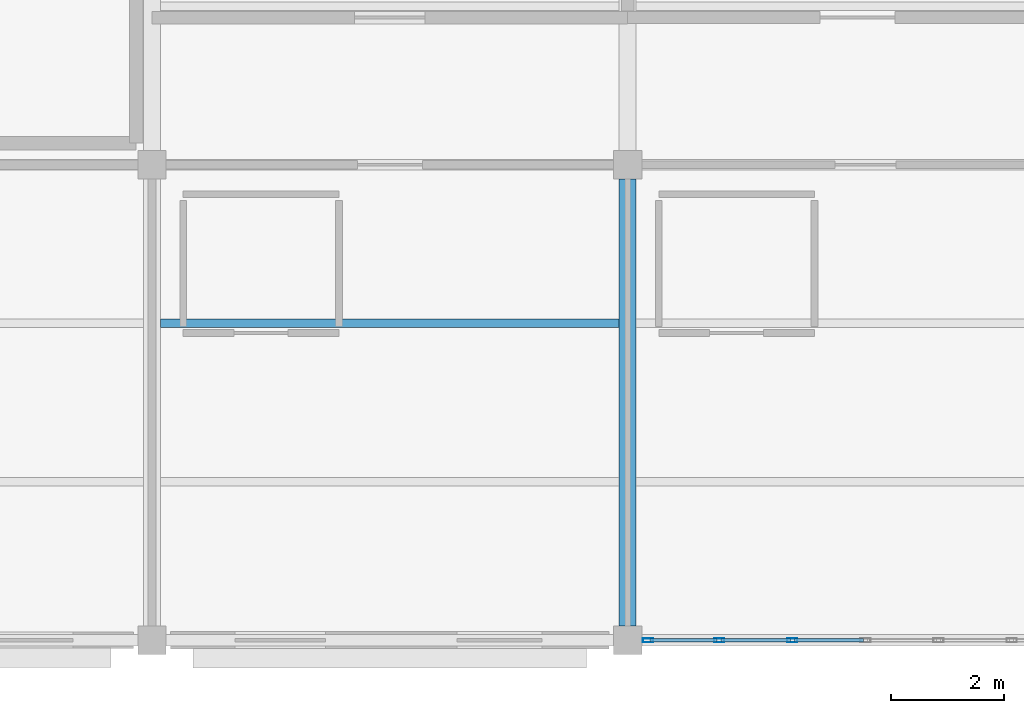
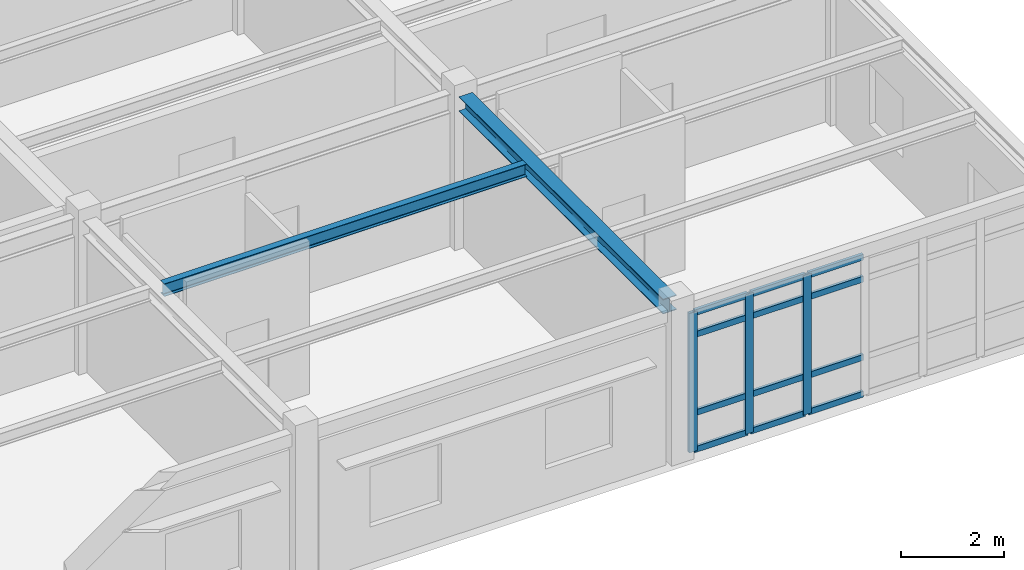
# One storey, part 31 of 86: 15 members, 2 beams, 1 element without a shape of its own.
"""IFC4 building model written with IfcOpenShell, lengths in metres."""

from ifc_helpers import new_model, si_unit, direction, frame, origin, origin_2d, place, context, subcontext, project, spatial, hollow_rectangle, i_section, extrude, material, layer, layer_set, material_profile, profile_set, type_object, element, aggregate, save


model = new_model("IFC4")

# Units and contexts
model_context = context("Model", 3, precision=1e-05, world=origin(), true_north=direction((0.0, 1.0)))
body_context = subcontext(model_context, "Body", "Model", "MODEL_VIEW")
ifc_project = project(units=[si_unit("LENGTHUNIT", "METRE"), si_unit("AREAUNIT", "SQUARE_METRE"), si_unit("VOLUMEUNIT", "CUBIC_METRE"), si_unit("PLANEANGLEUNIT", "RADIAN"), si_unit("MASSUNIT", "GRAM", prefix="KILO")], contexts=[model_context])

# Site, building, storey
site_placement = place(None, origin())
site = spatial("IfcSite", under=ifc_project, at=site_placement, CompositionType="ELEMENT")
building_placement = place(site_placement, origin())
building = spatial("IfcBuilding", under=site, at=building_placement, Name="Bramfleet General Hospital", CompositionType="ELEMENT")
storey_placement = place(building_placement, frame((0.0, 0.0, 18.60009765625)))
storey = spatial("IfcBuildingStorey", under=building, at=storey_placement, Name="L04", CompositionType="ELEMENT", Elevation=18.60009765625)

# Beams
ifc_material_1 = material(Name="Steel S355", Category="steel")
ifc_material_profile_1 = material_profile(ifc_material_1, i_section(OverallWidth=0.300048828125, OverallDepth=0.35009765625, WebThickness=0.010009765625, FlangeThickness=0.017578125, FilletRadius=0.027099609375, at=origin_2d()), Name="HEA 360")
ifc_profile_set_1 = profile_set([ifc_material_profile_1], Name="Steel S355")
beam_type_1 = type_object("IfcBeamType", Name="BM-HEA360", PredefinedType="BEAM", material=ifc_profile_set_1)
beam_1_placement = place(storey_placement, frame((159.60009765625, 0.25, 3.434814453125), z_axis=(0.0, 1.0, 0.0), x_axis=(-1.0, 0.0, 0.0)))
element("IfcBeam", 1, at=beam_1_placement, inside=storey, type_object=beam_type_1, Name="L04 Grid Beam Y 19-00", PredefinedType="BEAM", context=body_context, shape_type="SweptSolid", body=[
    extrude(i_section(OverallWidth=0.300048828125, OverallDepth=0.35009765625, WebThickness=0.010009765625, FlangeThickness=0.017578125, FilletRadius=0.027099609375, at=origin_2d()), origin(), (0.0, 0.0, 1.0), 7.89990234375),
])
ifc_material_profile_2 = material_profile(ifc_material_1, i_section(OverallWidth=0.14990234375, OverallDepth=0.300048828125, WebThickness=0.007080078125, FlangeThickness=0.0107421875, FilletRadius=0.014892578125, at=origin_2d()), Name="IPE 300")
ifc_profile_set_2 = profile_set([ifc_material_profile_2], Name="Steel S355")
beam_type_2 = type_object("IfcBeamType", Name="BM-IPE300", PredefinedType="JOIST", material=ifc_profile_set_2)
beam_2_placement = place(storey_placement, frame((151.35009765625, 5.60009765625, 3.4599609375), z_axis=(1.0, 0.0, 0.0), x_axis=(0.0, 1.0, 0.0)))
element("IfcBeam", 2, at=beam_2_placement, inside=storey, type_object=beam_type_2, Name="L04 Secondary Joist 18-00-2", PredefinedType="JOIST", context=body_context, shape_type="SweptSolid", body=[
    extrude(i_section(OverallWidth=0.14990234375, OverallDepth=0.300048828125, WebThickness=0.007080078125, FlangeThickness=0.0107421875, FilletRadius=0.014892578125, at=origin_2d()), origin(), (0.0, 0.0, 1.0), 8.099853515625),
])

# Curtain wall, members
ifc_material_2 = material(Name="Anodised aluminium and low-E triple glazing", Category="aluminium")
ifc_layer = layer(ifc_material_2, 0.179931640625, Name="CWT-CW-15")
ifc_layer_set = layer_set([ifc_layer], Name="Anodised aluminium and low-E triple glazing")
curtain_wall_type = type_object("IfcCurtainWallType", Name="CWT-CW-15", PredefinedType="USERDEFINED", material=ifc_layer_set)
curtain_wall_placement = place(storey_placement, origin())
curtain_wall = element("IfcCurtainWall", 3, at=curtain_wall_placement, inside=storey, type_object=curtain_wall_type, Name="L04 Curtain Wall 195", ObjectType="Stick curtain wall", PredefinedType="USERDEFINED")
ifc_material_3 = material(Name="Anodised aluminium EN AW-6060", Category="aluminium")
ifc_material_profile_3 = material_profile(ifc_material_3, hollow_rectangle(XDim=0.070068359375, YDim=0.179931640625, WallThickness=0.00390625, at=origin_2d()), Name="ALU 180x70x4.0")
ifc_profile_set_3 = profile_set([ifc_material_profile_3], Name="Anodised aluminium EN AW-6060")
member_type_1 = type_object("IfcMemberType", Name="CWM-ALU180", PredefinedType="MULLION", material=ifc_profile_set_3)
member_1_placement = place(storey_placement, frame((162.50830078125, 0.0, 0.0), z_axis=(0.0, 0.0, 1.0), x_axis=(0.0, -1.0, 0.0)))
member_1 = element("IfcMember", 4, at=member_1_placement, type_object=member_type_1, Name="CW-15 mullion 5", PredefinedType="MULLION", context=body_context, shape_type="SweptSolid", body=[
    extrude(hollow_rectangle(XDim=0.070068359375, YDim=0.179931640625, WallThickness=0.00390625, at=origin_2d()), origin(), (0.0, 0.0, 1.0), 3.2998046875),
])
member_2_placement = place(storey_placement, frame((161.216552734375, 0.0, 0.0), z_axis=(0.0, 0.0, 1.0), x_axis=(0.0, -1.0, 0.0)))
member_2 = element("IfcMember", 5, at=member_2_placement, type_object=member_type_1, Name="CW-15 mullion 6", PredefinedType="MULLION", context=body_context, shape_type="SweptSolid", body=[
    extrude(hollow_rectangle(XDim=0.070068359375, YDim=0.179931640625, WallThickness=0.00390625, at=origin_2d()), origin(), (0.0, 0.0, 1.0), 3.2998046875),
])
member_3_placement = place(storey_placement, frame((159.9599609375, 0.0, 0.0), z_axis=(0.0, 0.0, 1.0), x_axis=(0.0, -1.0, 0.0)))
member_3 = element("IfcMember", 6, at=member_3_placement, type_object=member_type_1, Name="CW-15 mullion 7", PredefinedType="MULLION", context=body_context, shape_type="SweptSolid", body=[
    extrude(hollow_rectangle(XDim=0.070068359375, YDim=0.179931640625, WallThickness=0.00390625, at=origin_2d()), origin(), (0.0, 0.0, 1.0), 3.2998046875),
])
ifc_material_profile_4 = material_profile(ifc_material_3, hollow_rectangle(XDim=0.06494140625, YDim=0.139892578125, WallThickness=0.00390625, at=origin_2d()), Name="ALU 140x65x4.0")
ifc_profile_set_4 = profile_set([ifc_material_profile_4], Name="Anodised aluminium EN AW-6060")
member_type_2 = type_object("IfcMemberType", Name="CWT-ALU140", PredefinedType="USERDEFINED", material=ifc_profile_set_4)
member_4_placement = place(storey_placement, frame((163.764892578125, 0.0, 0.032470703125), z_axis=(-1.0, 0.0, 0.0), x_axis=(0.0, -1.0, 0.0)))
member_4 = element("IfcMember", 7, at=member_4_placement, type_object=member_type_2, Name="CW-15 transom 4.1", ObjectType="TRANSOM", PredefinedType="USERDEFINED", context=body_context, shape_type="SweptSolid", body=[
    extrude(hollow_rectangle(XDim=0.06494140625, YDim=0.139892578125, WallThickness=0.00390625, at=origin_2d()), origin(), (0.0, 0.0, 1.0), 1.2216796875),
])
member_5_placement = place(storey_placement, frame((163.764892578125, 0.0, 0.89990234375), z_axis=(-1.0, 0.0, 0.0), x_axis=(0.0, -1.0, 0.0)))
member_5 = element("IfcMember", 8, at=member_5_placement, type_object=member_type_2, Name="CW-15 transom 4.2", ObjectType="TRANSOM", PredefinedType="USERDEFINED", context=body_context, shape_type="SweptSolid", body=[
    extrude(hollow_rectangle(XDim=0.06494140625, YDim=0.139892578125, WallThickness=0.00390625, at=origin_2d()), origin(), (0.0, 0.0, 1.0), 1.2216796875),
])
member_6_placement = place(storey_placement, frame((163.764892578125, 0.0, 2.75), z_axis=(-1.0, 0.0, 0.0), x_axis=(0.0, -1.0, 0.0)))
member_6 = element("IfcMember", 9, at=member_6_placement, type_object=member_type_2, Name="CW-15 transom 4.3", ObjectType="TRANSOM", PredefinedType="USERDEFINED", context=body_context, shape_type="SweptSolid", body=[
    extrude(hollow_rectangle(XDim=0.06494140625, YDim=0.139892578125, WallThickness=0.00390625, at=origin_2d()), origin(), (0.0, 0.0, 1.0), 1.2216796875),
])
member_7_placement = place(storey_placement, frame((163.764892578125, 0.0, 3.267333984375), z_axis=(-1.0, 0.0, 0.0), x_axis=(0.0, -1.0, 0.0)))
member_7 = element("IfcMember", 10, at=member_7_placement, type_object=member_type_2, Name="CW-15 transom 4.4", ObjectType="TRANSOM", PredefinedType="USERDEFINED", context=body_context, shape_type="SweptSolid", body=[
    extrude(hollow_rectangle(XDim=0.06494140625, YDim=0.139892578125, WallThickness=0.00390625, at=origin_2d()), origin(), (0.0, 0.0, 1.0), 1.2216796875),
])
member_8_placement = place(storey_placement, frame((162.473388671875, 0.0, 0.032470703125), z_axis=(-1.0, 0.0, 0.0), x_axis=(0.0, -1.0, 0.0)))
member_8 = element("IfcMember", 11, at=member_8_placement, type_object=member_type_2, Name="CW-15 transom 5.1", ObjectType="TRANSOM", PredefinedType="USERDEFINED", context=body_context, shape_type="SweptSolid", body=[
    extrude(hollow_rectangle(XDim=0.06494140625, YDim=0.139892578125, WallThickness=0.00390625, at=origin_2d()), origin(), (0.0, 0.0, 1.0), 1.2216796875),
])
member_9_placement = place(storey_placement, frame((162.473388671875, 0.0, 0.89990234375), z_axis=(-1.0, 0.0, 0.0), x_axis=(0.0, -1.0, 0.0)))
member_9 = element("IfcMember", 12, at=member_9_placement, type_object=member_type_2, Name="CW-15 transom 5.2", ObjectType="TRANSOM", PredefinedType="USERDEFINED", context=body_context, shape_type="SweptSolid", body=[
    extrude(hollow_rectangle(XDim=0.06494140625, YDim=0.139892578125, WallThickness=0.00390625, at=origin_2d()), origin(), (0.0, 0.0, 1.0), 1.2216796875),
])
member_10_placement = place(storey_placement, frame((162.473388671875, 0.0, 2.75), z_axis=(-1.0, 0.0, 0.0), x_axis=(0.0, -1.0, 0.0)))
member_10 = element("IfcMember", 13, at=member_10_placement, type_object=member_type_2, Name="CW-15 transom 5.3", ObjectType="TRANSOM", PredefinedType="USERDEFINED", context=body_context, shape_type="SweptSolid", body=[
    extrude(hollow_rectangle(XDim=0.06494140625, YDim=0.139892578125, WallThickness=0.00390625, at=origin_2d()), origin(), (0.0, 0.0, 1.0), 1.2216796875),
])
member_11_placement = place(storey_placement, frame((162.473388671875, 0.0, 3.267333984375), z_axis=(-1.0, 0.0, 0.0), x_axis=(0.0, -1.0, 0.0)))
member_11 = element("IfcMember", 14, at=member_11_placement, type_object=member_type_2, Name="CW-15 transom 5.4", ObjectType="TRANSOM", PredefinedType="USERDEFINED", context=body_context, shape_type="SweptSolid", body=[
    extrude(hollow_rectangle(XDim=0.06494140625, YDim=0.139892578125, WallThickness=0.00390625, at=origin_2d()), origin(), (0.0, 0.0, 1.0), 1.2216796875),
])
member_12_placement = place(storey_placement, frame((161.181640625, 0.0, 0.032470703125), z_axis=(-1.0, 0.0, 0.0), x_axis=(0.0, -1.0, 0.0)))
member_12 = element("IfcMember", 15, at=member_12_placement, type_object=member_type_2, Name="CW-15 transom 6.1", ObjectType="TRANSOM", PredefinedType="USERDEFINED", context=body_context, shape_type="SweptSolid", body=[
    extrude(hollow_rectangle(XDim=0.06494140625, YDim=0.139892578125, WallThickness=0.00390625, at=origin_2d()), origin(), (0.0, 0.0, 1.0), 1.1865234375),
])
member_13_placement = place(storey_placement, frame((161.181640625, 0.0, 0.89990234375), z_axis=(-1.0, 0.0, 0.0), x_axis=(0.0, -1.0, 0.0)))
member_13 = element("IfcMember", 16, at=member_13_placement, type_object=member_type_2, Name="CW-15 transom 6.2", ObjectType="TRANSOM", PredefinedType="USERDEFINED", context=body_context, shape_type="SweptSolid", body=[
    extrude(hollow_rectangle(XDim=0.06494140625, YDim=0.139892578125, WallThickness=0.00390625, at=origin_2d()), origin(), (0.0, 0.0, 1.0), 1.1865234375),
])
member_14_placement = place(storey_placement, frame((161.181640625, 0.0, 2.75), z_axis=(-1.0, 0.0, 0.0), x_axis=(0.0, -1.0, 0.0)))
member_14 = element("IfcMember", 17, at=member_14_placement, type_object=member_type_2, Name="CW-15 transom 6.3", ObjectType="TRANSOM", PredefinedType="USERDEFINED", context=body_context, shape_type="SweptSolid", body=[
    extrude(hollow_rectangle(XDim=0.06494140625, YDim=0.139892578125, WallThickness=0.00390625, at=origin_2d()), origin(), (0.0, 0.0, 1.0), 1.1865234375),
])
member_15_placement = place(storey_placement, frame((161.181640625, 0.0, 3.267333984375), z_axis=(-1.0, 0.0, 0.0), x_axis=(0.0, -1.0, 0.0)))
member_15 = element("IfcMember", 18, at=member_15_placement, type_object=member_type_2, Name="CW-15 transom 6.4", ObjectType="TRANSOM", PredefinedType="USERDEFINED", context=body_context, shape_type="SweptSolid", body=[
    extrude(hollow_rectangle(XDim=0.06494140625, YDim=0.139892578125, WallThickness=0.00390625, at=origin_2d()), origin(), (0.0, 0.0, 1.0), 1.1865234375),
])
aggregate(curtain_wall, [member_1, member_2, member_3, member_4, member_5, member_6, member_7, member_8, member_9, member_10, member_11, member_12, member_13, member_14, member_15])

save(model, "model.ifc")
